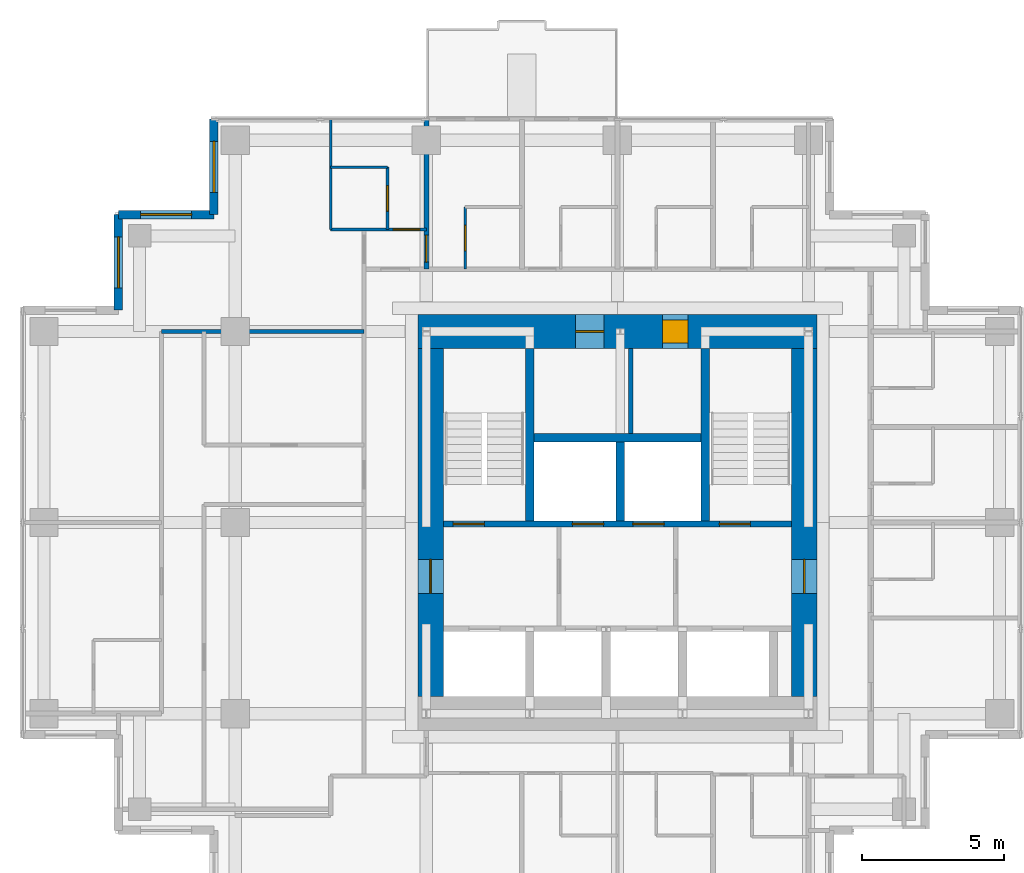
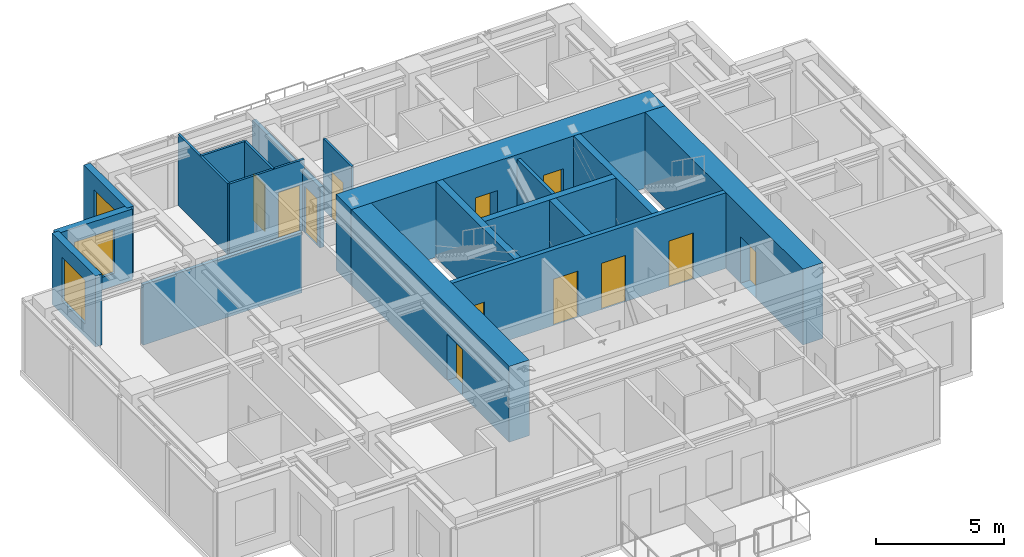
# One storey, part 5 of 8: 19 walls, 12 doors, 3 windows, 15 openings.
"""IFC4 building model written with IfcOpenShell, lengths in metres."""

from ifc_helpers import new_model, si_unit, direction, frame, frame_2d, origin, place, context, subcontext, project, spatial, rectangle, extrude, material, layer, layer_set, type_object, element, fill, save


model = new_model("IFC4")

# Units and contexts
model_context = context("Model", 3, precision=1e-05, world=origin(), true_north=direction((0.0, 1.0)))
body_context = subcontext(model_context, "Body", "Model", "MODEL_VIEW")
ifc_project = project(units=[si_unit("LENGTHUNIT", "METRE"), si_unit("AREAUNIT", "SQUARE_METRE"), si_unit("VOLUMEUNIT", "CUBIC_METRE"), si_unit("PLANEANGLEUNIT", "RADIAN"), si_unit("MASSUNIT", "GRAM", prefix="KILO")], contexts=[model_context])

# Site, building, storey
site_placement = place(None, origin())
site = spatial("IfcSite", under=ifc_project, at=site_placement, CompositionType="ELEMENT")
building_placement = place(site_placement, origin())
building = spatial("IfcBuilding", under=site, at=building_placement, Name="Nyansa Garden Tower", CompositionType="ELEMENT")
storey_placement = place(building_placement, frame((0.0, 0.0, 233.10009765625)))
storey = spatial("IfcBuildingStorey", under=building, at=storey_placement, Name="L63", CompositionType="ELEMENT", Elevation=233.10009765625)

# Wall, opening, door
ifc_material_1 = material(Name="Dense blockwork, plastered both sides, 55 dB", Category="masonry")
ifc_layer_1 = layer(ifc_material_1, 0.175048828125)
ifc_layer_set_1 = layer_set([ifc_layer_1], Name="Acoustic party wall PW175")
wall_type_1 = type_object("IfcWallType", Name="Acoustic party wall PW175", PredefinedType="PARTITIONING", material=ifc_layer_set_1)
wall_1_placement = place(storey_placement, frame((13.5, 29.199951171875, 0.0), z_axis=(0.0, 0.0, 1.0), x_axis=(0.0, 1.0, 0.0)))
wall_1 = element("IfcWall", 1, at=wall_1_placement, inside=storey, type_object=wall_type_1, Name="Party wall", PredefinedType="PARTITIONING", context=body_context, shape_type="SweptSolid", body=[
    extrude(rectangle(XDim=5.283935546875, YDim=0.175048828125, at=frame_2d((2.64208984375, 0.0))), origin(), (0.0, 0.0, 1.0), 2.876953125),
])
opening_1_placement = place(wall_1_placement, frame((0.25, 0.0, 0.0)))
opening_1 = element("IfcOpeningElement", 2, at=opening_1_placement, cuts=wall_1, Name="Opening D14", PredefinedType="OPENING", context=body_context, shape_type="SweptSolid", body=[
    extrude(rectangle(XDim=0.949951171875, YDim=2.199951171875, at=frame_2d((0.47509765625, 1.10009765625))), frame((0.0, 0.097412109375, 0.0), z_axis=(0.0, -1.0, 0.0), x_axis=(1.0, 0.0, 0.0)), (0.0, 0.0, 1.0), 0.195068359375),
])
ifc_material_2 = material(Name="Timber flush door, 60 minute fire resisting, self-closing", Category="wood")
door_type_1 = type_object("IfcDoorType", Name="Studio entrance door D14 950x2200", OperationType="SINGLE_SWING_LEFT", PredefinedType="DOOR", material=ifc_material_2)
door_1_placement = place(opening_1_placement, origin())
door_1 = element("IfcDoor", 3, at=door_1_placement, inside=storey, type_object=door_type_1, Name="Door L63-037", OperationType="SINGLE_SWING_LEFT", OverallHeight=2.199951171875, OverallWidth=0.949951171875, PredefinedType="DOOR", context=body_context, shape_type="SweptSolid", body=[
    extrude(rectangle(XDim=0.949951171875, YDim=2.199951171875, at=frame_2d((0.47509765625, 1.10009765625))), frame((0.0, 0.02490234375, 0.0), z_axis=(0.0, -1.0, 0.0), x_axis=(1.0, 0.0, 0.0)), (0.0, 0.0, 1.0), 0.050048828125),
])
fill(opening_1, door_1)

# Wall, openings, doors
ifc_material_3 = material(Name="Concrete C70/85", Category="concrete")
ifc_layer_2 = layer(ifc_material_3, 0.199951171875)
ifc_layer_set_2 = layer_set([ifc_layer_2], Name="Core inner wall CI200")
wall_type_2 = type_object("IfcWallType", Name="Core inner wall CI200", PredefinedType="SHEAR", material=ifc_layer_set_2)
wall_2_placement = place(storey_placement, frame((14.10009765625, 20.199951171875, 0.0), z_axis=(0.0, 0.0, 1.0), x_axis=(1.0, 0.0, 0.0)))
wall_2 = element("IfcWall", 4, at=wall_2_placement, inside=storey, type_object=wall_type_2, Name="Core inner wall L63", PredefinedType="SHEAR", context=body_context, shape_type="SweptSolid", body=[
    extrude(rectangle(XDim=12.2998046875, YDim=0.199951171875, at=frame_2d((6.14990234375, 0.0))), origin(), (0.0, 0.0, 1.0), 3.599853515625),
])
opening_2_placement = place(wall_2_placement, frame((4.56005859375, 0.0, 0.0)))
opening_2 = element("IfcOpeningElement", 5, at=opening_2_placement, cuts=wall_2, Name="Opening LD-B", PredefinedType="OPENING", context=body_context, shape_type="SweptSolid", body=[
    extrude(rectangle(XDim=1.10009765625, YDim=2.199951171875, at=frame_2d((0.550048828125, 1.10009765625))), frame((0.0, 0.10986328125, 0.0), z_axis=(0.0, -1.0, 0.0), x_axis=(1.0, 0.0, 0.0)), (0.0, 0.0, 1.0), 0.219970703125),
])
opening_3_placement = place(wall_2_placement, frame((6.699951171875, 0.0, 0.0)))
opening_3 = element("IfcOpeningElement", 6, at=opening_3_placement, cuts=wall_2, Name="Opening LD-B", PredefinedType="OPENING", context=body_context, shape_type="SweptSolid", body=[
    extrude(rectangle(XDim=1.10009765625, YDim=2.199951171875, at=frame_2d((0.550048828125, 1.10009765625))), frame((0.0, 0.10986328125, 0.0), z_axis=(0.0, -1.0, 0.0), x_axis=(1.0, 0.0, 0.0)), (0.0, 0.0, 1.0), 0.219970703125),
])
opening_4_placement = place(wall_2_placement, frame((0.35009765625, 0.0, 0.0)))
opening_4 = element("IfcOpeningElement", 7, at=opening_4_placement, cuts=wall_2, Name="Opening D05", PredefinedType="OPENING", context=body_context, shape_type="SweptSolid", body=[
    extrude(rectangle(XDim=1.10009765625, YDim=2.199951171875, at=frame_2d((0.550048828125, 1.10009765625))), frame((0.0, 0.10986328125, 0.0), z_axis=(0.0, -1.0, 0.0), x_axis=(1.0, 0.0, 0.0)), (0.0, 0.0, 1.0), 0.219970703125),
])
opening_5_placement = place(wall_2_placement, frame((9.75, 0.0, 0.0)))
opening_5 = element("IfcOpeningElement", 8, at=opening_5_placement, cuts=wall_2, Name="Opening D05", PredefinedType="OPENING", context=body_context, shape_type="SweptSolid", body=[
    extrude(rectangle(XDim=1.10009765625, YDim=2.199951171875, at=frame_2d((0.550048828125, 1.10009765625))), frame((0.0, 0.10986328125, 0.0), z_axis=(0.0, -1.0, 0.0), x_axis=(1.0, 0.0, 0.0)), (0.0, 0.0, 1.0), 0.219970703125),
])
ifc_material_4 = material(Name="Stainless steel centre-opening landing door of the high-rise lift, E 120", Category="steel")
door_type_2 = type_object("IfcDoorType", Name="Lift landing door LD-B 1100x2200", OperationType="DOUBLE_DOOR_SLIDING", PredefinedType="DOOR", material=ifc_material_4)
door_2_placement = place(opening_2_placement, origin())
door_2 = element("IfcDoor", 9, at=door_2_placement, inside=storey, type_object=door_type_2, Name="Landing door B3", OperationType="DOUBLE_DOOR_SLIDING", OverallHeight=2.199951171875, OverallWidth=1.10009765625, PredefinedType="DOOR", context=body_context, shape_type="SweptSolid", body=[
    extrude(rectangle(XDim=1.10009765625, YDim=2.199951171875, at=frame_2d((0.550048828125, 1.10009765625))), frame((0.0, 0.02490234375, 0.0), z_axis=(0.0, -1.0, 0.0), x_axis=(1.0, 0.0, 0.0)), (0.0, 0.0, 1.0), 0.050048828125),
])
fill(opening_2, door_2)
door_3_placement = place(opening_3_placement, origin())
door_3 = element("IfcDoor", 10, at=door_3_placement, inside=storey, type_object=door_type_2, Name="Landing door B4", OperationType="DOUBLE_DOOR_SLIDING", OverallHeight=2.199951171875, OverallWidth=1.10009765625, PredefinedType="DOOR", context=body_context, shape_type="SweptSolid", body=[
    extrude(rectangle(XDim=1.10009765625, YDim=2.199951171875, at=frame_2d((0.550048828125, 1.10009765625))), frame((0.0, 0.02490234375, 0.0), z_axis=(0.0, -1.0, 0.0), x_axis=(1.0, 0.0, 0.0)), (0.0, 0.0, 1.0), 0.050048828125),
])
fill(opening_3, door_3)
ifc_material_5 = material(Name="Steel door, 120 minute fire resisting", Category="steel")
door_type_3 = type_object("IfcDoorType", Name="Stair door D05 1100x2200", OperationType="SINGLE_SWING_LEFT", PredefinedType="DOOR", material=ifc_material_5)
door_4_placement = place(opening_4_placement, origin())
door_4 = element("IfcDoor", 11, at=door_4_placement, inside=storey, type_object=door_type_3, Name="Stair S1 door", OperationType="SINGLE_SWING_LEFT", OverallHeight=2.199951171875, OverallWidth=1.10009765625, PredefinedType="DOOR", context=body_context, shape_type="SweptSolid", body=[
    extrude(rectangle(XDim=1.10009765625, YDim=2.199951171875, at=frame_2d((0.550048828125, 1.10009765625))), frame((0.0, 0.02490234375, 0.0), z_axis=(0.0, -1.0, 0.0), x_axis=(1.0, 0.0, 0.0)), (0.0, 0.0, 1.0), 0.050048828125),
])
fill(opening_4, door_4)
door_5_placement = place(opening_5_placement, origin())
door_5 = element("IfcDoor", 12, at=door_5_placement, inside=storey, type_object=door_type_3, Name="Stair S2 door", OperationType="SINGLE_SWING_LEFT", OverallHeight=2.199951171875, OverallWidth=1.10009765625, PredefinedType="DOOR", context=body_context, shape_type="SweptSolid", body=[
    extrude(rectangle(XDim=1.10009765625, YDim=2.199951171875, at=frame_2d((0.550048828125, 1.10009765625))), frame((0.0, 0.02490234375, 0.0), z_axis=(0.0, -1.0, 0.0), x_axis=(1.0, 0.0, 0.0)), (0.0, 0.0, 1.0), 0.050048828125),
])
fill(opening_5, door_5)

# Walls
ifc_material_6 = material(Name="Concrete C70/85", Category="concrete")
ifc_layer_3 = layer(ifc_material_6, 0.300048828125)
ifc_layer_set_3 = layer_set([ifc_layer_3], Name="Core inner wall CI300")
wall_type_3 = type_object("IfcWallType", Name="Core inner wall CI300", PredefinedType="SHEAR", material=ifc_layer_set_3)
for number, where, z_axis, x_axis, name in (
    (13, (17.14990234375, 20.300048828125, 0.0), (0.0, 0.0, 1.0), (0.0, 1.0, 0.0), "Core inner wall L63"),
    (14, (23.35009765625, 20.300048828125, 0.0), (0.0, 0.0, 1.0), (0.0, 1.0, 0.0), "Core inner wall L63"),
):
    element("IfcWall", number, at=place(storey_placement, frame(where, z_axis=z_axis, x_axis=x_axis)), inside=storey, type_object=wall_type_3, Name=name, PredefinedType="SHEAR", context=body_context, shape_type="SweptSolid", body=[
        extrude(rectangle(XDim=6.099853515625, YDim=0.300048828125, at=frame_2d((3.0498046875, 0.0))), origin(), (0.0, 0.0, 1.0), 3.599853515625),
    ])
wall_3_placement = place(storey_placement, frame((20.35009765625, 20.300048828125, 0.0), z_axis=(0.0, 0.0, 1.0), x_axis=(0.0, 1.0, 0.0)))
element("IfcWall", 15, at=wall_3_placement, inside=storey, type_object=wall_type_3, Name="Core inner wall L63", PredefinedType="SHEAR", context=body_context, shape_type="SweptSolid", body=[
    extrude(rectangle(XDim=2.800048828125, YDim=0.300048828125, at=frame_2d((1.39990234375, 0.0))), origin(), (0.0, 0.0, 1.0), 3.599853515625),
])
wall_4_placement = place(storey_placement, frame((17.300048828125, 23.25, 0.0), z_axis=(0.0, 0.0, 1.0), x_axis=(1.0, 0.0, 0.0)))
element("IfcWall", 16, at=wall_4_placement, inside=storey, type_object=wall_type_3, Name="Core inner wall L63", PredefinedType="SHEAR", context=body_context, shape_type="SweptSolid", body=[
    extrude(rectangle(XDim=5.89990234375, YDim=0.300048828125, at=frame_2d((2.949951171875, 0.0))), origin(), (0.0, 0.0, 1.0), 3.599853515625),
])

# Wall, openings, doors
ifc_material_7 = material(Name="Concrete C80/95", Category="concrete")
ifc_layer_4 = layer(ifc_material_7, 1.199951171875)
ifc_layer_set_4 = layer_set([ifc_layer_4], Name="Core wall CW1200")
wall_type_4 = type_object("IfcWallType", Name="Core wall CW1200", PredefinedType="SHEAR", material=ifc_layer_set_4)
wall_5_placement = place(storey_placement, frame((27.300048828125, 27.0, 0.0), z_axis=(0.0, 0.0, 1.0), x_axis=(-1.0, 0.0, 0.0)))
wall_5 = element("IfcWall", 17, at=wall_5_placement, inside=storey, type_object=wall_type_4, Name="Core wall N L63", PredefinedType="SHEAR", context=body_context, shape_type="SweptSolid", body=[
    extrude(rectangle(XDim=14.10009765625, YDim=1.199951171875, at=frame_2d((7.050048828125, 0.0))), origin(), (0.0, 0.0, 1.0), 3.599853515625),
])
opening_6_placement = place(wall_5_placement, frame((4.550048828125, 0.0, 0.0)))
opening_6 = element("IfcOpeningElement", 18, at=opening_6_placement, cuts=wall_5, Name="Opening D15", PredefinedType="OPENING", context=body_context, shape_type="SweptSolid", body=[
    extrude(rectangle(XDim=0.89990234375, YDim=2.199951171875, at=frame_2d((0.449951171875, 1.10009765625))), frame((0.0, 0.60986328125, 0.0), z_axis=(0.0, -1.0, 0.0), x_axis=(1.0, 0.0, 0.0)), (0.0, 0.0, 1.0), 1.219970703125),
])
opening_7_placement = place(wall_5_placement, frame((7.52490234375, 0.0, 0.0)))
opening_7 = element("IfcOpeningElement", 19, at=opening_7_placement, cuts=wall_5, Name="Opening D07", PredefinedType="OPENING", context=body_context, shape_type="SweptSolid", body=[
    extrude(rectangle(XDim=1.0, YDim=2.199951171875, at=frame_2d((0.5, 1.10009765625))), frame((0.0, 0.60986328125, 0.0), z_axis=(0.0, -1.0, 0.0), x_axis=(1.0, 0.0, 0.0)), (0.0, 0.0, 1.0), 1.219970703125),
])
ifc_material_8 = material(Name="Timber flush door, 60 minute fire resisting, self-closing", Category="wood")
door_type_4 = type_object("IfcDoorType", Name="Core room door D15 900x2200", OperationType="SINGLE_SWING_LEFT", PredefinedType="DOOR", material=ifc_material_8)
door_6_placement = place(opening_6_placement, origin())
door_6 = element("IfcDoor", 20, at=door_6_placement, inside=storey, type_object=door_type_4, Name="Core room door", OperationType="SINGLE_SWING_LEFT", OverallHeight=2.199951171875, OverallWidth=0.89990234375, PredefinedType="DOOR", context=body_context, shape_type="SweptSolid", body=[
    extrude(rectangle(XDim=0.89990234375, YDim=2.199951171875, at=frame_2d((0.449951171875, 1.10009765625))), frame((0.0, 0.39990234375, 0.0), z_axis=(0.0, -1.0, 0.0), x_axis=(1.0, 0.0, 0.0)), (0.0, 0.0, 1.0), 0.800048828125),
])
fill(opening_6, door_6)
ifc_material_9 = material(Name="Steel door, 120 minute fire resisting", Category="steel")
door_type_5 = type_object("IfcDoorType", Name="Riser door D07 1000x2200", OperationType="SINGLE_SWING_LEFT", PredefinedType="DOOR", material=ifc_material_9)
door_7_placement = place(opening_7_placement, origin())
door_7 = element("IfcDoor", 21, at=door_7_placement, inside=storey, type_object=door_type_5, Name="Riser and refuse room door", OperationType="SINGLE_SWING_LEFT", OverallHeight=2.199951171875, OverallWidth=1.0, PredefinedType="DOOR", context=body_context, shape_type="SweptSolid", body=[
    extrude(rectangle(XDim=1.0, YDim=2.199951171875, at=frame_2d((0.5, 1.10009765625))), frame((0.0, 0.02490234375, 0.0), z_axis=(0.0, -1.0, 0.0), x_axis=(1.0, 0.0, 0.0)), (0.0, 0.0, 1.0), 0.050048828125),
])
fill(opening_7, door_7)

# Wall, opening, door
ifc_material_10 = material(Name="Concrete C80/95", Category="concrete")
ifc_layer_5 = layer(ifc_material_10, 0.89990234375)
ifc_layer_set_5 = layer_set([ifc_layer_5], Name="Core wall CW900")
wall_type_5 = type_object("IfcWallType", Name="Core wall CW900", PredefinedType="SHEAR", material=ifc_layer_set_5)
wall_6_placement = place(storey_placement, frame((26.85009765625, 14.10009765625, 0.0), z_axis=(0.0, 0.0, 1.0), x_axis=(0.0, 1.0, 0.0)))
wall_6 = element("IfcWall", 22, at=wall_6_placement, inside=storey, type_object=wall_type_5, Name="Core wall E L63", PredefinedType="SHEAR", context=body_context, shape_type="SweptSolid", body=[
    extrude(rectangle(XDim=12.2998046875, YDim=0.89990234375, at=frame_2d((6.14990234375, 0.0))), origin(), (0.0, 0.0, 1.0), 3.599853515625),
])
opening_8_placement = place(wall_6_placement, frame((3.64990234375, 0.0, 0.0)))
opening_8 = element("IfcOpeningElement", 23, at=opening_8_placement, cuts=wall_6, Name="Opening D06", PredefinedType="OPENING", context=body_context, shape_type="SweptSolid", body=[
    extrude(rectangle(XDim=1.199951171875, YDim=2.199951171875, at=frame_2d((0.60009765625, 1.10009765625))), frame((0.0, 0.4599609375, 0.0), z_axis=(0.0, -1.0, 0.0), x_axis=(1.0, 0.0, 0.0)), (0.0, 0.0, 1.0), 0.919921875),
])
ifc_material_11 = material(Name="Steel door, 120 minute fire resisting", Category="steel")
door_type_6 = type_object("IfcDoorType", Name="Lobby door D06 1200x2200", OperationType="DOUBLE_DOOR_SINGLE_SWING", PredefinedType="DOOR", material=ifc_material_11)
door_8_placement = place(opening_8_placement, origin())
door_8 = element("IfcDoor", 24, at=door_8_placement, inside=storey, type_object=door_type_6, Name="Lift lobby door east", OperationType="DOUBLE_DOOR_SINGLE_SWING", OverallHeight=2.199951171875, OverallWidth=1.199951171875, PredefinedType="DOOR", context=body_context, shape_type="SweptSolid", body=[
    extrude(rectangle(XDim=1.199951171875, YDim=2.199951171875, at=frame_2d((0.60009765625, 1.10009765625))), frame((0.0, 0.02490234375, 0.0), z_axis=(0.0, -1.0, 0.0), x_axis=(1.0, 0.0, 0.0)), (0.0, 0.0, 1.0), 0.050048828125),
])
fill(opening_8, door_8)

wall_7_placement = place(storey_placement, frame((13.64990234375, 26.39990234375, 0.0), z_axis=(0.0, 0.0, 1.0), x_axis=(0.0, -1.0, 0.0)))
wall_7 = element("IfcWall", 25, at=wall_7_placement, inside=storey, type_object=wall_type_5, Name="Core wall W L63", PredefinedType="SHEAR", context=body_context, shape_type="SweptSolid", body=[
    extrude(rectangle(XDim=12.2998046875, YDim=0.89990234375, at=frame_2d((6.14990234375, 0.0))), origin(), (0.0, 0.0, 1.0), 3.599853515625),
])
opening_9_placement = place(wall_7_placement, frame((7.449951171875, 0.0, 0.0)))
opening_9 = element("IfcOpeningElement", 26, at=opening_9_placement, cuts=wall_7, Name="Opening D06", PredefinedType="OPENING", context=body_context, shape_type="SweptSolid", body=[
    extrude(rectangle(XDim=1.199951171875, YDim=2.199951171875, at=frame_2d((0.60009765625, 1.10009765625))), frame((0.0, 0.4599609375, 0.0), z_axis=(0.0, -1.0, 0.0), x_axis=(1.0, 0.0, 0.0)), (0.0, 0.0, 1.0), 0.919921875),
])
door_9_placement = place(opening_9_placement, origin())
door_9 = element("IfcDoor", 27, at=door_9_placement, inside=storey, type_object=door_type_6, Name="Lift lobby door west", OperationType="DOUBLE_DOOR_SINGLE_SWING", OverallHeight=2.199951171875, OverallWidth=1.199951171875, PredefinedType="DOOR", context=body_context, shape_type="SweptSolid", body=[
    extrude(rectangle(XDim=1.199951171875, YDim=2.199951171875, at=frame_2d((0.60009765625, 1.10009765625))), frame((0.0, 0.02490234375, 0.0), z_axis=(0.0, -1.0, 0.0), x_axis=(1.0, 0.0, 0.0)), (0.0, 0.0, 1.0), 0.050048828125),
])
fill(opening_9, door_9)

# Walls
ifc_material_12 = material(Name="Blockwork, plastered both sides", Category="masonry")
ifc_layer_6 = layer(ifc_material_12, 0.14990234375)
ifc_layer_set_6 = layer_set([ifc_layer_6], Name="Partition PW150")
wall_type_6 = type_object("IfcWallType", Name="Partition PW150", PredefinedType="PARTITIONING", material=ifc_layer_set_6)
wall_8_placement = place(storey_placement, frame((20.72509765625, 23.39990234375, 0.0), z_axis=(0.0, 0.0, 1.0), x_axis=(0.0, 1.0, 0.0)))
element("IfcWall", 28, at=wall_8_placement, inside=storey, type_object=wall_type_6, Name="Partition", PredefinedType="PARTITIONING", context=body_context, shape_type="SweptSolid", body=[
    extrude(rectangle(XDim=3.0, YDim=0.14990234375, at=frame_2d((1.5, 0.0))), origin(), (0.0, 0.0, 1.0), 3.375),
])
wall_9_placement = place(storey_placement, frame((4.14990234375, 27.0, 0.0), z_axis=(0.0, 0.0, 1.0), x_axis=(1.0, 0.0, 0.0)))
element("IfcWall", 29, at=wall_9_placement, inside=storey, type_object=wall_type_6, Name="Partition", PredefinedType="PARTITIONING", context=body_context, shape_type="SweptSolid", body=[
    extrude(rectangle(XDim=7.150146484375, YDim=0.14990234375, at=frame_2d((3.5751953125, 0.0))), origin(), (0.0, 0.0, 1.0), 2.876953125),
])

# Wall, opening, window
ifc_material_13 = material(Name="Turquoise glazed tile on concrete blockwork", Category="masonry")
ifc_layer_7 = layer(ifc_material_13, 0.300048828125)
ifc_layer_set_7 = layer_set([ifc_layer_7], Name="Tiled corner wall TW300")
wall_type_7 = type_object("IfcWallType", Name="Tiled corner wall TW300", PredefinedType="SOLIDWALL", material=ifc_layer_set_7)
wall_10_placement = place(storey_placement, frame((6.0, 34.5, 0.0), z_axis=(0.0, 0.0, 1.0), x_axis=(0.0, -1.0, 0.0)))
wall_10 = element("IfcWall", 30, at=wall_10_placement, inside=storey, type_object=wall_type_7, Name="Tiled corner wall L63", PredefinedType="SOLIDWALL", context=body_context, shape_type="SweptSolid", body=[
    extrude(rectangle(XDim=3.375, YDim=0.300048828125, at=frame_2d((1.6875, 0.0))), origin(), (0.0, 0.0, 1.0), 3.375),
])
opening_10_placement = place(wall_10_placement, frame((0.78759765625, 0.0, 0.60009765625)))
opening_10 = element("IfcOpeningElement", 31, at=opening_10_placement, cuts=wall_10, Name="Opening W2", PredefinedType="OPENING", context=body_context, shape_type="SweptSolid", body=[
    extrude(rectangle(XDim=1.800048828125, YDim=2.10009765625, at=frame_2d((0.89990234375, 1.050048828125))), frame((0.0, 0.159912109375, 0.0), z_axis=(0.0, -1.0, 0.0), x_axis=(1.0, 0.0, 0.0)), (0.0, 0.0, 1.0), 0.320068359375),
])
ifc_material_14 = material(Name="Black aluminium frame, dark tinted double glazing", Category="aluminium")
window_type = type_object("IfcWindowType", Name="Window W2 1800x2100", PartitioningType="SINGLE_PANEL", PredefinedType="WINDOW", material=ifc_material_14)
window_1_placement = place(opening_10_placement, origin())
window_1 = element("IfcWindow", 32, at=window_1_placement, inside=storey, type_object=window_type, Name="Corner window L63", OverallHeight=2.10009765625, OverallWidth=1.800048828125, PartitioningType="SINGLE_PANEL", PredefinedType="WINDOW", context=body_context, shape_type="SweptSolid", body=[
    extrude(rectangle(XDim=1.800048828125, YDim=2.10009765625, at=frame_2d((0.89990234375, 1.050048828125))), frame((0.0, 0.030029296875, 0.0), z_axis=(0.0, -1.0, 0.0), x_axis=(1.0, 0.0, 0.0)), (0.0, 0.0, 1.0), 0.06005859375),
])
fill(opening_10, window_1)

wall_11_placement = place(storey_placement, frame((6.0, 31.125, 0.0), z_axis=(0.0, 0.0, 1.0), x_axis=(-1.0, 0.0, 0.0)))
wall_11 = element("IfcWall", 33, at=wall_11_placement, inside=storey, type_object=wall_type_7, Name="Tiled corner wall L63", PredefinedType="SOLIDWALL", context=body_context, shape_type="SweptSolid", body=[
    extrude(rectangle(XDim=3.375, YDim=0.300048828125, at=frame_2d((1.6875, 0.0))), origin(), (0.0, 0.0, 1.0), 3.375),
])
opening_11_placement = place(wall_11_placement, frame((0.78759765625, 0.0, 0.60009765625)))
opening_11 = element("IfcOpeningElement", 34, at=opening_11_placement, cuts=wall_11, Name="Opening W2", PredefinedType="OPENING", context=body_context, shape_type="SweptSolid", body=[
    extrude(rectangle(XDim=1.800048828125, YDim=2.10009765625, at=frame_2d((0.89990234375, 1.050048828125))), frame((0.0, 0.159912109375, 0.0), z_axis=(0.0, -1.0, 0.0), x_axis=(1.0, 0.0, 0.0)), (0.0, 0.0, 1.0), 0.320068359375),
])
window_2_placement = place(opening_11_placement, origin())
window_2 = element("IfcWindow", 35, at=window_2_placement, inside=storey, type_object=window_type, Name="Corner window L63", OverallHeight=2.10009765625, OverallWidth=1.800048828125, PartitioningType="SINGLE_PANEL", PredefinedType="WINDOW", context=body_context, shape_type="SweptSolid", body=[
    extrude(rectangle(XDim=1.800048828125, YDim=2.10009765625, at=frame_2d((0.89990234375, 1.050048828125))), frame((0.0, 0.030029296875, 0.0), z_axis=(0.0, -1.0, 0.0), x_axis=(1.0, 0.0, 0.0)), (0.0, 0.0, 1.0), 0.06005859375),
])
fill(opening_11, window_2)

wall_12_placement = place(storey_placement, frame((2.625, 31.125, 0.0), z_axis=(0.0, 0.0, 1.0), x_axis=(0.0, -1.0, 0.0)))
wall_12 = element("IfcWall", 36, at=wall_12_placement, inside=storey, type_object=wall_type_7, Name="Tiled corner wall L63", PredefinedType="SOLIDWALL", context=body_context, shape_type="SweptSolid", body=[
    extrude(rectangle(XDim=3.375, YDim=0.300048828125, at=frame_2d((1.6875, 0.0))), origin(), (0.0, 0.0, 1.0), 3.375),
])
opening_12_placement = place(wall_12_placement, frame((0.78759765625, 0.0, 0.60009765625)))
opening_12 = element("IfcOpeningElement", 37, at=opening_12_placement, cuts=wall_12, Name="Opening W2", PredefinedType="OPENING", context=body_context, shape_type="SweptSolid", body=[
    extrude(rectangle(XDim=1.800048828125, YDim=2.10009765625, at=frame_2d((0.89990234375, 1.050048828125))), frame((0.0, 0.159912109375, 0.0), z_axis=(0.0, -1.0, 0.0), x_axis=(1.0, 0.0, 0.0)), (0.0, 0.0, 1.0), 0.320068359375),
])
window_3_placement = place(opening_12_placement, origin())
window_3 = element("IfcWindow", 38, at=window_3_placement, inside=storey, type_object=window_type, Name="Corner window L63", OverallHeight=2.10009765625, OverallWidth=1.800048828125, PartitioningType="SINGLE_PANEL", PredefinedType="WINDOW", context=body_context, shape_type="SweptSolid", body=[
    extrude(rectangle(XDim=1.800048828125, YDim=2.10009765625, at=frame_2d((0.89990234375, 1.050048828125))), frame((0.0, 0.030029296875, 0.0), z_axis=(0.0, -1.0, 0.0), x_axis=(1.0, 0.0, 0.0)), (0.0, 0.0, 1.0), 0.06005859375),
])
fill(opening_12, window_3)

# Wall
ifc_material_15 = material(Name="Moisture resistant board on steel studs, tiled", Category="steel")
ifc_layer_8 = layer(ifc_material_15, 0.10009765625)
ifc_layer_set_8 = layer_set([ifc_layer_8], Name="Wet wall PW100")
wall_type_8 = type_object("IfcWallType", Name="Wet wall PW100", PredefinedType="PARTITIONING", material=ifc_layer_set_8)
wall_13_placement = place(storey_placement, frame((10.125, 30.60009765625, 0.0), z_axis=(0.0, 0.0, 1.0), x_axis=(0.0, 1.0, 0.0)))
element("IfcWall", 39, at=wall_13_placement, inside=storey, type_object=wall_type_8, Name="Wet wall", PredefinedType="PARTITIONING", context=body_context, shape_type="SweptSolid", body=[
    extrude(rectangle(XDim=3.8837890625, YDim=0.10009765625, at=frame_2d((1.94189453125, 0.0))), origin(), (0.0, 0.0, 1.0), 3.375),
])

# Wall, opening, door
wall_14_placement = place(storey_placement, frame((10.125, 30.60009765625, 0.0), z_axis=(0.0, 0.0, 1.0), x_axis=(1.0, 0.0, 0.0)))
wall_14 = element("IfcWall", 40, at=wall_14_placement, inside=storey, type_object=wall_type_8, Name="Wet wall", PredefinedType="PARTITIONING", context=body_context, shape_type="SweptSolid", body=[
    extrude(rectangle(XDim=3.375, YDim=0.10009765625, at=frame_2d((1.6875, 0.0))), origin(), (0.0, 0.0, 1.0), 3.375),
])
opening_13_placement = place(wall_14_placement, frame((2.199951171875, 0.0, 0.0)))
opening_13 = element("IfcOpeningElement", 41, at=opening_13_placement, cuts=wall_14, Name="Opening D14", PredefinedType="OPENING", context=body_context, shape_type="SweptSolid", body=[
    extrude(rectangle(XDim=0.949951171875, YDim=2.199951171875, at=frame_2d((0.47509765625, 1.10009765625))), frame((0.0, 0.06005859375, 0.0), z_axis=(0.0, -1.0, 0.0), x_axis=(1.0, 0.0, 0.0)), (0.0, 0.0, 1.0), 0.1201171875),
])
door_10_placement = place(opening_13_placement, origin())
door_10 = element("IfcDoor", 42, at=door_10_placement, inside=storey, type_object=door_type_1, Name="Door L63-035", OperationType="SINGLE_SWING_LEFT", OverallHeight=2.199951171875, OverallWidth=0.949951171875, PredefinedType="DOOR", context=body_context, shape_type="SweptSolid", body=[
    extrude(rectangle(XDim=0.949951171875, YDim=2.199951171875, at=frame_2d((0.47509765625, 1.10009765625))), frame((0.0, 0.02490234375, 0.0), z_axis=(0.0, -1.0, 0.0), x_axis=(1.0, 0.0, 0.0)), (0.0, 0.0, 1.0), 0.050048828125),
])
fill(opening_13, door_10)

# Wall
wall_15_placement = place(storey_placement, frame((10.125, 32.800048828125, 0.0), z_axis=(0.0, 0.0, 1.0), x_axis=(1.0, 0.0, 0.0)))
element("IfcWall", 43, at=wall_15_placement, inside=storey, type_object=wall_type_8, Name="Wet wall", PredefinedType="PARTITIONING", context=body_context, shape_type="SweptSolid", body=[
    extrude(rectangle(XDim=2.0, YDim=0.10009765625, at=frame_2d((1.0, 0.0))), origin(), (0.0, 0.0, 1.0), 3.375),
])

# Wall, opening, door
wall_16_placement = place(storey_placement, frame((12.125, 30.60009765625, 0.0), z_axis=(0.0, 0.0, 1.0), x_axis=(0.0, 1.0, 0.0)))
wall_16 = element("IfcWall", 44, at=wall_16_placement, inside=storey, type_object=wall_type_8, Name="Wet wall", PredefinedType="PARTITIONING", context=body_context, shape_type="SweptSolid", body=[
    extrude(rectangle(XDim=2.199951171875, YDim=0.10009765625, at=frame_2d((1.10009765625, 0.0))), origin(), (0.0, 0.0, 1.0), 3.375),
])
opening_14_placement = place(wall_16_placement, frame((0.64990234375, 0.0, 0.0)))
opening_14 = element("IfcOpeningElement", 45, at=opening_14_placement, cuts=wall_16, Name="Opening D02", PredefinedType="OPENING", context=body_context, shape_type="SweptSolid", body=[
    extrude(rectangle(XDim=0.89990234375, YDim=2.199951171875, at=frame_2d((0.449951171875, 1.10009765625))), frame((0.0, 0.06005859375, 0.0), z_axis=(0.0, -1.0, 0.0), x_axis=(1.0, 0.0, 0.0)), (0.0, 0.0, 1.0), 0.1201171875),
])
ifc_material_16 = material(Name="Timber flush door", Category="wood")
door_type_7 = type_object("IfcDoorType", Name="En-suite door D02 900x2200", OperationType="SINGLE_SWING_RIGHT", PredefinedType="DOOR", material=ifc_material_16)
door_11_placement = place(opening_14_placement, origin())
door_11 = element("IfcDoor", 46, at=door_11_placement, inside=storey, type_object=door_type_7, Name="Door L63-036", OperationType="SINGLE_SWING_RIGHT", OverallHeight=2.199951171875, OverallWidth=0.89990234375, PredefinedType="DOOR", context=body_context, shape_type="SweptSolid", body=[
    extrude(rectangle(XDim=0.89990234375, YDim=2.199951171875, at=frame_2d((0.449951171875, 1.10009765625))), frame((0.0, 0.02490234375, 0.0), z_axis=(0.0, -1.0, 0.0), x_axis=(1.0, 0.0, 0.0)), (0.0, 0.0, 1.0), 0.050048828125),
])
fill(opening_14, door_11)

wall_17_placement = place(storey_placement, frame((14.875, 29.199951171875, 0.0), z_axis=(0.0, 0.0, 1.0), x_axis=(0.0, 1.0, 0.0)))
wall_17 = element("IfcWall", 47, at=wall_17_placement, inside=storey, type_object=wall_type_8, Name="Wet wall", PredefinedType="PARTITIONING", context=body_context, shape_type="SweptSolid", body=[
    extrude(rectangle(XDim=2.199951171875, YDim=0.10009765625, at=frame_2d((1.10009765625, 0.0))), origin(), (0.0, 0.0, 1.0), 3.375),
])
opening_15_placement = place(wall_17_placement, frame((0.64990234375, 0.0, 0.0)))
opening_15 = element("IfcOpeningElement", 48, at=opening_15_placement, cuts=wall_17, Name="Opening D02", PredefinedType="OPENING", context=body_context, shape_type="SweptSolid", body=[
    extrude(rectangle(XDim=0.89990234375, YDim=2.199951171875, at=frame_2d((0.449951171875, 1.10009765625))), frame((0.0, 0.06005859375, 0.0), z_axis=(0.0, -1.0, 0.0), x_axis=(1.0, 0.0, 0.0)), (0.0, 0.0, 1.0), 0.1201171875),
])
door_12_placement = place(opening_15_placement, origin())
door_12 = element("IfcDoor", 49, at=door_12_placement, inside=storey, type_object=door_type_7, Name="Door L63-038", OperationType="SINGLE_SWING_RIGHT", OverallHeight=2.199951171875, OverallWidth=0.89990234375, PredefinedType="DOOR", context=body_context, shape_type="SweptSolid", body=[
    extrude(rectangle(XDim=0.89990234375, YDim=2.199951171875, at=frame_2d((0.449951171875, 1.10009765625))), frame((0.0, 0.02490234375, 0.0), z_axis=(0.0, -1.0, 0.0), x_axis=(1.0, 0.0, 0.0)), (0.0, 0.0, 1.0), 0.050048828125),
])
fill(opening_15, door_12)

save(model, "model.ifc")
